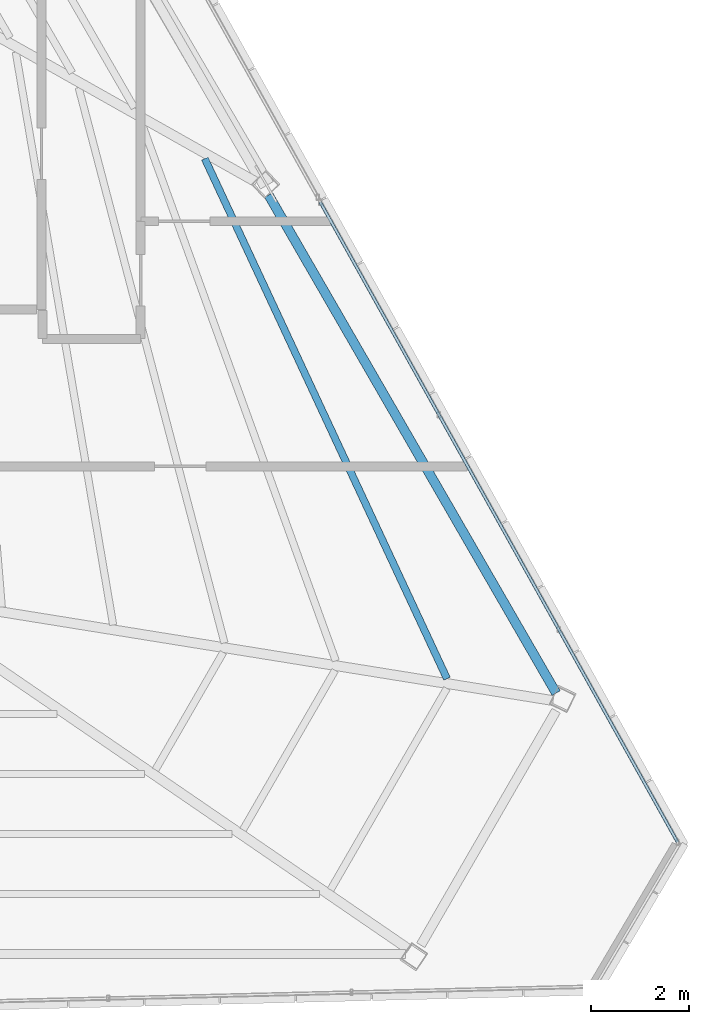
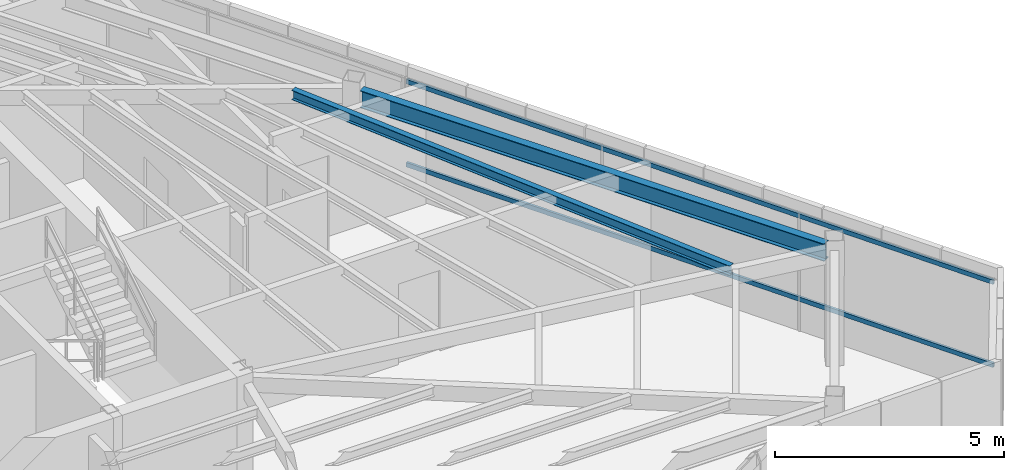
# One storey, part 26 of 44: 2 beams, 2 members, 1 element without a shape of its own.
"""IFC4 building model written with IfcOpenShell, lengths in metres."""

from ifc_helpers import new_model, si_unit, direction, frame, origin, origin_2d, place, context, subcontext, project, spatial, hollow_rectangle, i_section, extrude, source, transform, mapped, material, material_profile, profile_set, type_object, type_shapes, element, aggregate, save


model = new_model("IFC4")

# Units and contexts
model_context = context("Model", 3, precision=1e-05, world=origin(), true_north=direction((0.0, 1.0)))
body_context = subcontext(model_context, "Body", "Model", "MODEL_VIEW")
ifc_project = project(units=[si_unit("LENGTHUNIT", "METRE"), si_unit("AREAUNIT", "SQUARE_METRE"), si_unit("VOLUMEUNIT", "CUBIC_METRE"), si_unit("PLANEANGLEUNIT", "RADIAN"), si_unit("MASSUNIT", "GRAM", prefix="KILO")], contexts=[model_context])

# Site, building, storey
site_placement = place(None, origin())
site = spatial("IfcSite", under=ifc_project, at=site_placement, CompositionType="ELEMENT")
building_placement = place(site_placement, origin())
building = spatial("IfcBuilding", under=site, at=building_placement, Name="Caelisora Broadcast Tower", CompositionType="ELEMENT")
storey_placement = place(building_placement, frame((0.0, 0.0, 289.800048828125)))
storey = spatial("IfcBuildingStorey", under=building, at=storey_placement, Name="L76", CompositionType="ELEMENT", Elevation=289.800048828125)

# Beams
ifc_material_1 = material(Name="Steel Grade 350 (AS/NZS 3679.1)", Category="steel")
ifc_material_profile_1 = material_profile(ifc_material_1, i_section(OverallWidth=0.19091796875, OverallDepth=0.46044921875, WebThickness=0.010009765625, FlangeThickness=0.01611328125, at=origin_2d()), Name="Steel Grade 350 (AS/NZS 3679.1)")
ifc_profile_set_1 = profile_set([ifc_material_profile_1], Name="Steel Grade 350 (AS/NZS 3679.1)")
beam_type_1 = type_object("IfcBeamType", Name="PG06", PredefinedType="BEAM", material=ifc_profile_set_1)
shared_shape_1 = source(origin(), body_context, "Body", "SweptSolid", [
    extrude(i_section(OverallWidth=0.19091796875, OverallDepth=0.46044921875, WebThickness=0.010009765625, FlangeThickness=0.01611328125, at=origin_2d()), origin(), (0.0, 0.0, 1.0), 11.7236328125),
])
type_shapes(beam_type_1, [shared_shape_1])
beam_1_placement = place(storey_placement, frame((59.072509765625, 15.3798828125, 2.919677734375), z_axis=(-0.499995851058, 0.866027799164, 0.0), x_axis=(-0.866027799164, -0.499995851058, 0.0)))
element("IfcBeam", 1, at=beam_1_placement, inside=storey, type_object=beam_type_1, Name="L76 beam PG06", PredefinedType="BEAM", context=body_context, shape_type="MappedRepresentation", body=[
    mapped(shared_shape_1, transform((0.0, 0.0, 0.0), scale=1.0)),
])
ifc_material_profile_2 = material_profile(ifc_material_1, i_section(OverallWidth=0.14599609375, OverallDepth=0.256103515625, WebThickness=0.00634765625, FlangeThickness=0.010986328125, at=origin_2d()), Name="Steel Grade 350 (AS/NZS 3679.1)")
ifc_profile_set_2 = profile_set([ifc_material_profile_2], Name="Steel Grade 350 (AS/NZS 3679.1)")
beam_type_2 = type_object("IfcBeamType", Name="SB04", PredefinedType="JOIST", material=ifc_profile_set_2)
shared_shape_2 = source(origin(), body_context, "Body", "SweptSolid", [
    extrude(i_section(OverallWidth=0.14599609375, OverallDepth=0.256103515625, WebThickness=0.00634765625, FlangeThickness=0.010986328125, at=origin_2d()), origin(), (0.0, 0.0, 1.0), 11.69482421875),
])
type_shapes(beam_type_2, [shared_shape_2])
beam_2_placement = place(storey_placement, frame((56.847412109375, 15.673095703125, 3.02197265625), z_axis=(-0.422173344677, 0.906515122347, 0.0), x_axis=(-0.906515122347, -0.422173344677, 0.0)))
element("IfcBeam", 2, at=beam_2_placement, inside=storey, type_object=beam_type_2, Name="L76 beam SB04", PredefinedType="JOIST", context=body_context, shape_type="MappedRepresentation", body=[
    mapped(shared_shape_2, transform((0.0, 0.0, 0.0), scale=1.0)),
])

# Curtain wall, members
ifc_material_2 = material(Name="Unitised Aluminium Insulated Shadow-Box Spandrel Curtain Wall", Category="aluminium")
curtain_wall_type = type_object("IfcCurtainWallType", Name="CW-SP3", PredefinedType="NOTDEFINED", material=ifc_material_2)
curtain_wall_placement = place(storey_placement, origin())
curtain_wall = element("IfcCurtainWall", 3, at=curtain_wall_placement, inside=storey, type_object=curtain_wall_type, Name="L76 curtain wall CW-SP3", PredefinedType="NOTDEFINED")
ifc_material_3 = material(Name="Aluminium 6063-T6 Anodised Terracotta Bronze", Category="aluminium")
ifc_material_profile_3 = material_profile(ifc_material_3, hollow_rectangle(XDim=0.06005859375, YDim=0.1201171875, WallThickness=0.0029296875, at=origin_2d()), Name="Aluminium 6063-T6 Anodised Terracotta Bronze")
ifc_profile_set_3 = profile_set([ifc_material_profile_3], Name="Aluminium 6063-T6 Anodised Terracotta Bronze")
member_type = type_object("IfcMemberType", Name="CWT-03", PredefinedType="USERDEFINED", material=ifc_profile_set_3)
shared_shape_3 = source(origin(), body_context, "Body", "SweptSolid", [
    extrude(hollow_rectangle(XDim=0.06005859375, YDim=0.1201171875, WallThickness=0.0029296875, at=origin_2d()), origin(), (0.0, 0.0, 1.0), 14.943115234375),
])
type_shapes(member_type, [shared_shape_3])
member_1_placement = place(storey_placement, frame((54.26220703125, 25.38818359375, 0.849853515625), z_axis=(0.487477112293, -0.873135765497, 0.0), x_axis=(0.873135765497, 0.487477112293, 0.0)))
member_1 = element("IfcMember", 4, at=member_1_placement, type_object=member_type, Name="L76-CW-B03 transom #1", ObjectType="TRANSOM", PredefinedType="USERDEFINED", context=body_context, shape_type="MappedRepresentation", body=[
    mapped(shared_shape_3, transform((0.0, 0.0, 0.0), scale=1.0)),
])
member_2_placement = place(storey_placement, frame((54.26220703125, 25.38818359375, 3.070068359375), z_axis=(0.487477112293, -0.873135765497, 0.0), x_axis=(0.873135765497, 0.487477112293, 0.0)))
member_2 = element("IfcMember", 5, at=member_2_placement, type_object=member_type, Name="L76-CW-B03 transom #2", ObjectType="TRANSOM", PredefinedType="USERDEFINED", context=body_context, shape_type="MappedRepresentation", body=[
    mapped(shared_shape_3, transform((0.0, 0.0, 0.0), scale=1.0)),
])
aggregate(curtain_wall, [member_1, member_2])

save(model, "model.ifc")
